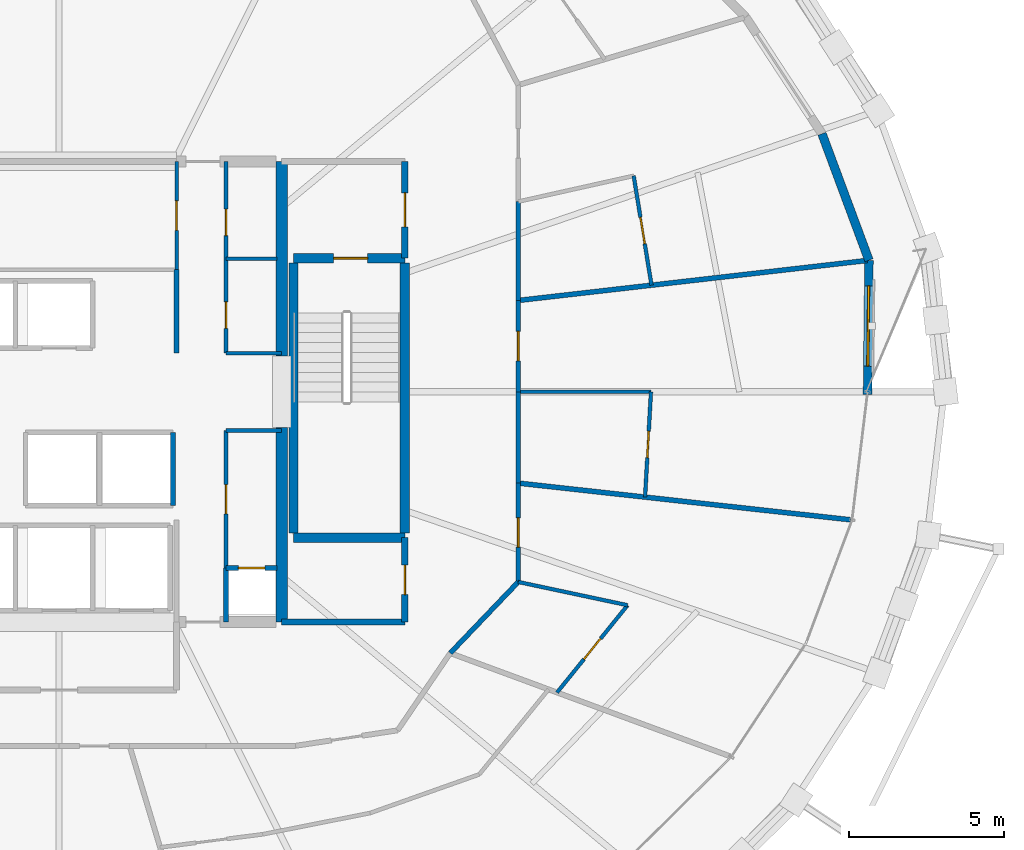
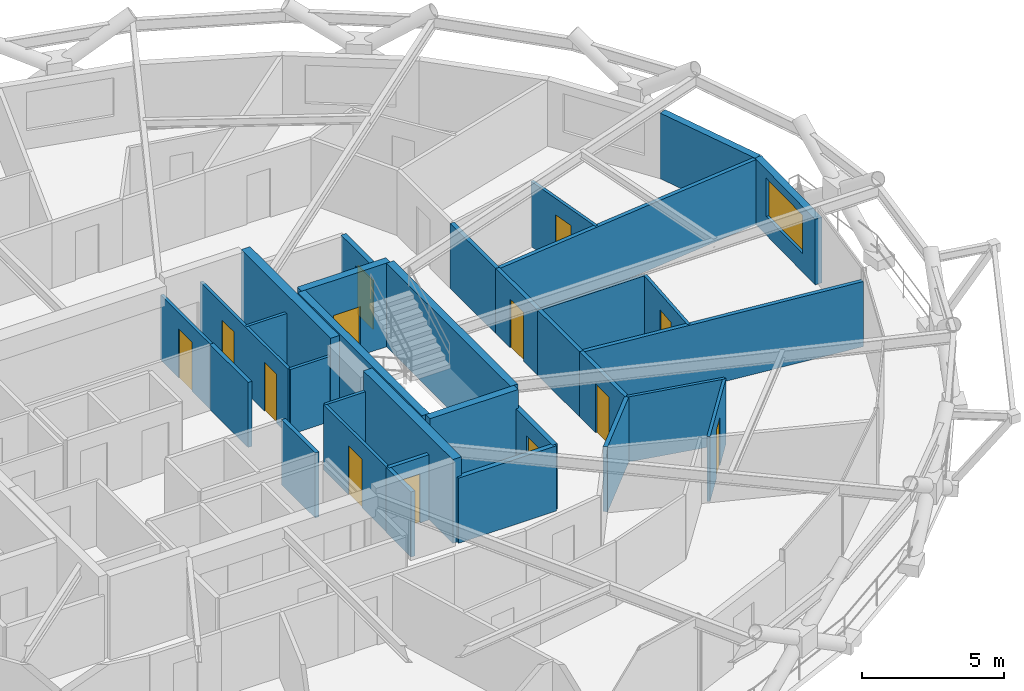
# One storey, part 16 of 21: 33 walls, 13 doors, 1 window, 14 openings.
"""IFC4 building model written with IfcOpenShell, lengths in metres."""

from ifc_helpers import new_model, si_unit, direction, frame, frame_2d, origin, place, context, subcontext, project, spatial, rectangle, extrude, material, layer, layer_set, type_object, element, fill, save


model = new_model("IFC4")

# Units and contexts
model_context = context("Model", 3, precision=1e-05, world=origin(), true_north=direction((0.0, 1.0)))
body_context = subcontext(model_context, "Body", "Model", "MODEL_VIEW")
ifc_project = project(units=[si_unit("LENGTHUNIT", "METRE"), si_unit("AREAUNIT", "SQUARE_METRE"), si_unit("VOLUMEUNIT", "CUBIC_METRE"), si_unit("PLANEANGLEUNIT", "RADIAN"), si_unit("MASSUNIT", "GRAM", prefix="KILO")], contexts=[model_context])

# Site, building, storey
site_placement = place(None, origin())
site = spatial("IfcSite", under=ifc_project, at=site_placement, CompositionType="ELEMENT")
building_placement = place(site_placement, origin())
building = spatial("IfcBuilding", under=site, at=building_placement, Name="Veldorina Hangang Commons", CompositionType="ELEMENT")
storey_placement = place(building_placement, frame((0.0, 0.0, 120.800048828125)))
storey = spatial("IfcBuildingStorey", under=building, at=storey_placement, Name="L30", CompositionType="ELEMENT", Elevation=120.800048828125)

# Walls
ifc_material_1 = material(Name="Concrete C60/75", Category="concrete")
ifc_layer_1 = layer(ifc_material_1, 0.360107421875)
ifc_layer_set_1 = layer_set([ifc_layer_1], Name="Concrete C60/75")
wall_type_1 = type_object("IfcWallType", Name="CW-RC360-C60", PredefinedType="SHEAR", material=ifc_layer_set_1)
for number, where, z_axis, x_axis, name in (
    (1, (39.199951171875, 16.550048828125, 0.0), (0.0, 0.0, 1.0), (0.0, 1.0, 0.0), "L30 E south core shear wall"),
    (2, (39.199951171875, 25.14990234375, 0.0), (0.0, 0.0, 1.0), (0.0, 1.0, 0.0), "L30 E north core shear wall"),
):
    element("IfcWall", number, at=place(storey_placement, frame(where, z_axis=z_axis, x_axis=x_axis)), inside=storey, type_object=wall_type_1, Name=name, PredefinedType="SHEAR", context=body_context, shape_type="SweptSolid", body=[
        extrude(rectangle(XDim=6.300048828125, YDim=0.360107421875, at=frame_2d((3.14990234375, 0.0))), origin(), (0.0, 0.0, 1.0), 3.599853515625),
    ])

# Wall, opening, window
ifc_material_2 = material(Name="Stone Roman Travertine", Category="masonry")
ifc_layer_2 = layer(ifc_material_2, 0.280029296875)
ifc_layer_set_2 = layer_set([ifc_layer_2], Name="Stone Roman Travertine")
wall_type_2 = type_object("IfcWallType", Name="EW-TRAV-280", PredefinedType="STANDARD", material=ifc_layer_set_2)
wall_1_placement = place(storey_placement, frame((58.14599609375, 23.907958984375, 0.0), z_axis=(0.0, 0.0, 1.0), x_axis=(0.011008713298, 0.99993940228, 0.0)))
wall_1 = element("IfcWall", 3, at=wall_1_placement, inside=storey, type_object=wall_type_2, Name="L30 travertine facade wall 00", PredefinedType="STANDARD", context=body_context, shape_type="SweptSolid", body=[
    extrude(rectangle(XDim=4.3466796875, YDim=0.280029296875, at=frame_2d((2.17333984375, 0.0))), origin(), (0.0, 0.0, 1.0), 2.820068359375),
])
opening_1_placement = place(wall_1_placement, frame((0.919189453125, 0.0, 0.800048828125)))
opening_1 = element("IfcOpeningElement", 4, at=opening_1_placement, cuts=wall_1, Name="Opening W-02", PredefinedType="OPENING", context=body_context, shape_type="SweptSolid", body=[
    extrude(rectangle(XDim=2.60009765625, YDim=1.64990234375, at=frame_2d((1.300048828125, 0.824951171875))), frame((0.0, 0.14990234375, 0.0), z_axis=(0.0, -1.0, 0.0), x_axis=(1.0, 0.0, 0.0)), (0.0, 0.0, 1.0), 0.300048828125),
])
ifc_material_3 = material(Name="Glass Low-E Triple IGU", Category="glass")
window_type = type_object("IfcWindowType", Name="WIN-TWR-2600", PartitioningType="SINGLE_PANEL", PredefinedType="WINDOW", material=ifc_material_3)
window_placement = place(opening_1_placement, origin())
window = element("IfcWindow", 5, at=window_placement, inside=storey, type_object=window_type, Name="L30 facade window 00", OverallHeight=1.64990234375, OverallWidth=2.60009765625, PartitioningType="SINGLE_PANEL", PredefinedType="WINDOW", context=body_context, shape_type="SweptSolid", body=[
    extrude(rectangle(XDim=2.60009765625, YDim=1.64990234375, at=frame_2d((1.300048828125, 0.824951171875))), frame((0.0, 0.030029296875, 0.0), z_axis=(0.0, -1.0, 0.0), x_axis=(1.0, 0.0, 0.0)), (0.0, 0.0, 1.0), 0.06005859375),
])
fill(opening_1, window)

# Walls
wall_2_placement = place(storey_placement, frame((58.19384765625, 28.25439453125, 0.0), z_axis=(0.0, 0.0, 1.0), x_axis=(-0.348252546088, 0.937400748956, 0.0)))
element("IfcWall", 6, at=wall_2_placement, inside=storey, type_object=wall_type_2, Name="L30 travertine facade wall 01", PredefinedType="STANDARD", context=body_context, shape_type="SweptSolid", body=[
    extrude(rectangle(XDim=4.364013671875, YDim=0.280029296875, at=frame_2d((2.18212890625, 0.0))), origin(), (0.0, 0.0, 1.0), 2.820068359375),
])
ifc_material_4 = material(Name="Concrete C50/60", Category="concrete")
ifc_layer_3 = layer(ifc_material_4, 0.300048828125)
ifc_layer_set_3 = layer_set([ifc_layer_3], Name="Concrete C50/60")
wall_type_3 = type_object("IfcWallType", Name="SW-STAIR-300", PredefinedType="SHEAR", material=ifc_layer_set_3)
for number, where, z_axis, x_axis, name in (
    (7, (43.179931640625, 19.429931640625, 0.0), (0.0, 0.0, 1.0), (0.0, 1.0, 0.0), "L30 ST2 outer stair shear wall"),
    (8, (39.580078125, 19.429931640625, 0.0), (0.0, 0.0, 1.0), (0.0, 1.0, 0.0), "L30 ST2 inner stair shear wall"),
):
    element("IfcWall", number, at=place(storey_placement, frame(where, z_axis=z_axis, x_axis=x_axis)), inside=storey, type_object=wall_type_3, Name=name, PredefinedType="SHEAR", context=body_context, shape_type="SweptSolid", body=[
        extrude(rectangle(XDim=8.739990234375, YDim=0.300048828125, at=frame_2d((4.3701171875, 0.0))), origin(), (0.0, 0.0, 1.0), 3.599853515625),
    ])
wall_3_placement = place(storey_placement, frame((39.580078125, 19.280029296875, 0.0), z_axis=(0.0, 0.0, 1.0), x_axis=(1.0, 0.0, 0.0)))
element("IfcWall", 9, at=wall_3_placement, inside=storey, type_object=wall_type_3, Name="L30 ST2 south stair shear wall", PredefinedType="SHEAR", context=body_context, shape_type="SweptSolid", body=[
    extrude(rectangle(XDim=3.599853515625, YDim=0.300048828125, at=frame_2d((1.7998046875, 0.0))), origin(), (0.0, 0.0, 1.0), 3.599853515625),
])

# Wall, opening, door
wall_4_placement = place(storey_placement, frame((39.580078125, 28.320068359375, 0.0), z_axis=(0.0, 0.0, 1.0), x_axis=(1.0, 0.0, 0.0)))
wall_4 = element("IfcWall", 10, at=wall_4_placement, inside=storey, type_object=wall_type_3, Name="L30 ST2 north stair shear wall", PredefinedType="SHEAR", context=body_context, shape_type="SweptSolid", body=[
    extrude(rectangle(XDim=3.599853515625, YDim=0.300048828125, at=frame_2d((1.7998046875, 0.0))), origin(), (0.0, 0.0, 1.0), 3.599853515625),
])
opening_2_placement = place(wall_4_placement, frame((1.300048828125, 0.0, 0.0)))
opening_2 = element("IfcOpeningElement", 11, at=opening_2_placement, cuts=wall_4, Name="Opening D-08", PredefinedType="OPENING", context=body_context, shape_type="SweptSolid", body=[
    extrude(rectangle(XDim=1.10009765625, YDim=2.10009765625, at=frame_2d((0.550048828125, 1.050048828125))), frame((0.0, 0.16015625, 0.0), z_axis=(0.0, -1.0, 0.0), x_axis=(1.0, 0.0, 0.0)), (0.0, 0.0, 1.0), 0.320068359375),
])
ifc_material_5 = material(Name="Steel Fire-Rated Smoke Seal", Category="steel")
door_type_1 = type_object("IfcDoorType", Name="DR-FIRE-1100", OperationType="SINGLE_SWING_RIGHT", PredefinedType="DOOR", material=ifc_material_5)
door_1_placement = place(opening_2_placement, origin())
door_1 = element("IfcDoor", 12, at=door_1_placement, inside=storey, type_object=door_type_1, Name="L30 Special Escape Stair ST-2 door", OperationType="SINGLE_SWING_RIGHT", OverallHeight=2.10009765625, OverallWidth=1.10009765625, PredefinedType="DOOR", context=body_context, shape_type="SweptSolid", body=[
    extrude(rectangle(XDim=1.10009765625, YDim=2.10009765625, at=frame_2d((0.550048828125, 1.050048828125))), frame((0.0, 0.02490234375, 0.0), z_axis=(0.0, -1.0, 0.0), x_axis=(1.0, 0.0, 0.0)), (0.0, 0.0, 1.0), 0.050048828125),
])
fill(opening_2, door_1)

# Walls
ifc_material_6 = material(Name="Gypsum Fire-Rated Twin Stud Wall", Category="gypsum")
ifc_layer_4 = layer(ifc_material_6, 0.159912109375)
ifc_layer_set_4 = layer_set([ifc_layer_4], Name="Gypsum Fire-Rated Twin Stud Wall")
wall_type_4 = type_object("IfcWallType", Name="WL-FIRE-160", PredefinedType="SOLIDWALL", material=ifc_layer_set_4)
wall_5_placement = place(storey_placement, frame((37.39990234375, 16.550048828125, 0.0), z_axis=(0.0, 0.0, 1.0), x_axis=(0.0, 1.0, 0.0)))
element("IfcWall", 13, at=wall_5_placement, inside=storey, type_object=wall_type_4, Name="L30 Lift passage SE stub 010", PredefinedType="SOLIDWALL", context=body_context, shape_type="SweptSolid", body=[
    extrude(rectangle(XDim=1.75, YDim=0.159912109375, at=frame_2d((0.875, 0.0))), origin(), (0.0, 0.0, 1.0), 2.800048828125),
])
wall_6_placement = place(storey_placement, frame((35.800048828125, 25.25, 0.0), z_axis=(0.0, 0.0, 1.0), x_axis=(0.0, 1.0, 0.0)))
element("IfcWall", 14, at=wall_6_placement, inside=storey, type_object=wall_type_4, Name="L30 Lift passage NW lower wall 011", PredefinedType="SOLIDWALL", context=body_context, shape_type="SweptSolid", body=[
    extrude(rectangle(XDim=2.699951171875, YDim=0.159912109375, at=frame_2d((1.35009765625, 0.0))), origin(), (0.0, 0.0, 1.0), 2.800048828125),
])
wall_7_placement = place(storey_placement, frame((35.679931640625, 20.320068359375, 0.0), z_axis=(0.0, 0.0, 1.0), x_axis=(0.0, 1.0, 0.0)))
element("IfcWall", 15, at=wall_7_placement, inside=storey, type_object=wall_type_4, Name="L30 SL-2 east shaft wall 024", PredefinedType="SOLIDWALL", context=body_context, shape_type="SweptSolid", body=[
    extrude(rectangle(XDim=2.35986328125, YDim=0.159912109375, at=frame_2d((1.179931640625, 0.0))), origin(), (0.0, 0.0, 1.0), 2.800048828125),
])

# Wall, opening, door
wall_8_placement = place(storey_placement, frame((37.39990234375, 18.300048828125, 0.0), z_axis=(0.0, 0.0, 1.0), x_axis=(1.0, 0.0, 0.0)))
wall_8 = element("IfcWall", 16, at=wall_8_placement, inside=storey, type_object=wall_type_4, Name="L30 Plumbing riser wall 036", PredefinedType="SOLIDWALL", context=body_context, shape_type="SweptSolid", body=[
    extrude(rectangle(XDim=1.650146484375, YDim=0.159912109375, at=frame_2d((0.8251953125, 0.0))), origin(), (0.0, 0.0, 1.0), 2.800048828125),
])
opening_3_placement = place(wall_8_placement, frame((0.39501953125, 0.0, 0.0)))
opening_3 = element("IfcOpeningElement", 17, at=opening_3_placement, cuts=wall_8, Name="Opening D-01N", PredefinedType="OPENING", context=body_context, shape_type="SweptSolid", body=[
    extrude(rectangle(XDim=0.860107421875, YDim=2.10009765625, at=frame_2d((0.43017578125, 1.050048828125))), frame((0.0, 0.08984375, 0.0), z_axis=(0.0, -1.0, 0.0), x_axis=(1.0, 0.0, 0.0)), (0.0, 0.0, 1.0), 0.179931640625),
])
ifc_material_7 = material(Name="Timber Fire-Rated Core", Category="wood")
door_type_2 = type_object("IfcDoorType", Name="DR-INT-860", OperationType="SINGLE_SWING_LEFT", PredefinedType="DOOR", material=ifc_material_7)
door_2_placement = place(opening_3_placement, origin())
door_2 = element("IfcDoor", 18, at=door_2_placement, inside=storey, type_object=door_type_2, Name="L30 Plumbing riser access door 013", OperationType="SINGLE_SWING_LEFT", OverallHeight=2.10009765625, OverallWidth=0.860107421875, PredefinedType="TRAPDOOR", context=body_context, shape_type="SweptSolid", body=[
    extrude(rectangle(XDim=0.860107421875, YDim=2.10009765625, at=frame_2d((0.43017578125, 1.050048828125))), frame((0.0, 0.02490234375, 0.0), z_axis=(0.0, -1.0, 0.0), x_axis=(1.0, 0.0, 0.0)), (0.0, 0.0, 1.0), 0.050048828125),
])
fill(opening_3, door_2)

wall_9_placement = place(storey_placement, frame((46.85009765625, 24.0, 0.0), z_axis=(0.0, 0.0, 1.0), x_axis=(0.0, 1.0, 0.0)))
wall_9 = element("IfcWall", 19, at=wall_9_placement, inside=storey, type_object=wall_type_4, Name="L30 U-corridor outer wall 00 046", PredefinedType="SOLIDWALL", context=body_context, shape_type="SweptSolid", body=[
    extrude(rectangle(XDim=2.953857421875, YDim=0.159912109375, at=frame_2d((1.47705078125, 0.0))), origin(), (0.0, 0.0, 1.0), 2.800048828125),
])
opening_4_placement = place(wall_9_placement, frame((1.001953125, 0.0, 0.0)))
opening_4 = element("IfcOpeningElement", 20, at=opening_4_placement, cuts=wall_9, Name="Opening D-03", PredefinedType="OPENING", context=body_context, shape_type="SweptSolid", body=[
    extrude(rectangle(XDim=0.949951171875, YDim=2.10009765625, at=frame_2d((0.47509765625, 1.050048828125))), frame((0.0, 0.08984375, 0.0), z_axis=(0.0, -1.0, 0.0), x_axis=(1.0, 0.0, 0.0)), (0.0, 0.0, 1.0), 0.179931640625),
])
ifc_material_8 = material(Name="Timber Fire-Rated Entrance Core", Category="wood")
door_type_3 = type_object("IfcDoorType", Name="DR-UNIT-950", OperationType="SINGLE_SWING_RIGHT", PredefinedType="DOOR", material=ifc_material_8)
door_3_placement = place(opening_4_placement, origin())
door_3 = element("IfcDoor", 21, at=door_3_placement, inside=storey, type_object=door_type_3, Name="L30 Studio 3 entrance door 025", OperationType="SINGLE_SWING_LEFT", OverallHeight=2.10009765625, OverallWidth=0.949951171875, PredefinedType="DOOR", context=body_context, shape_type="SweptSolid", body=[
    extrude(rectangle(XDim=0.949951171875, YDim=2.10009765625, at=frame_2d((0.47509765625, 1.050048828125))), frame((0.0, 0.02490234375, 0.0), z_axis=(0.0, -1.0, 0.0), x_axis=(1.0, 0.0, 0.0)), (0.0, 0.0, 1.0), 0.050048828125),
])
fill(opening_4, door_3)

# Walls
wall_10_placement = place(storey_placement, frame((46.85009765625, 26.953857421875, 0.0), z_axis=(0.0, 0.0, 1.0), x_axis=(0.0, 1.0, 0.0)))
element("IfcWall", 22, at=wall_10_placement, inside=storey, type_object=wall_type_4, Name="L30 U-corridor outer wall 01 047", PredefinedType="SOLIDWALL", context=body_context, shape_type="SweptSolid", body=[
    extrude(rectangle(XDim=3.197265625, YDim=0.159912109375, at=frame_2d((1.5986328125, 0.0))), origin(), (0.0, 0.0, 1.0), 2.800048828125),
])
wall_11_placement = place(storey_placement, frame((44.64990234375, 15.547607421875, 0.0), z_axis=(0.0, 0.0, 1.0), x_axis=(0.691055487108, 0.722801711216, 0.0)))
element("IfcWall", 23, at=wall_11_placement, inside=storey, type_object=wall_type_4, Name="L30 U-corridor outer wall 29 075", PredefinedType="SOLIDWALL", context=body_context, shape_type="SweptSolid", body=[
    extrude(rectangle(XDim=3.183837890625, YDim=0.159912109375, at=frame_2d((1.591796875, 0.0))), origin(), (0.0, 0.0, 1.0), 2.800048828125),
])

# Wall, opening, door
wall_12_placement = place(storey_placement, frame((46.85009765625, 17.848876953125, 0.0), z_axis=(0.0, 0.0, 1.0), x_axis=(0.0, 1.0, 0.0)))
wall_12 = element("IfcWall", 24, at=wall_12_placement, inside=storey, type_object=wall_type_4, Name="L30 U-corridor outer wall 30 076", PredefinedType="SOLIDWALL", context=body_context, shape_type="SweptSolid", body=[
    extrude(rectangle(XDim=3.197265625, YDim=0.159912109375, at=frame_2d((1.5986328125, 0.0))), origin(), (0.0, 0.0, 1.0), 2.800048828125),
])
opening_5_placement = place(wall_12_placement, frame((1.123779296875, 0.0, 0.0)))
opening_5 = element("IfcOpeningElement", 25, at=opening_5_placement, cuts=wall_12, Name="Opening D-03", PredefinedType="OPENING", context=body_context, shape_type="SweptSolid", body=[
    extrude(rectangle(XDim=0.949951171875, YDim=2.10009765625, at=frame_2d((0.47509765625, 1.050048828125))), frame((0.0, 0.08984375, 0.0), z_axis=(0.0, -1.0, 0.0), x_axis=(1.0, 0.0, 0.0)), (0.0, 0.0, 1.0), 0.179931640625),
])
door_4_placement = place(opening_5_placement, origin())
door_4 = element("IfcDoor", 26, at=door_4_placement, inside=storey, type_object=door_type_3, Name="L30 Studio 2 entrance door 023", OperationType="SINGLE_SWING_LEFT", OverallHeight=2.10009765625, OverallWidth=0.949951171875, PredefinedType="DOOR", context=body_context, shape_type="SweptSolid", body=[
    extrude(rectangle(XDim=0.949951171875, YDim=2.10009765625, at=frame_2d((0.47509765625, 1.050048828125))), frame((0.0, 0.02490234375, 0.0), z_axis=(0.0, -1.0, 0.0), x_axis=(1.0, 0.0, 0.0)), (0.0, 0.0, 1.0), 0.050048828125),
])
fill(opening_5, door_4)

# Walls
wall_13_placement = place(storey_placement, frame((46.85009765625, 21.046142578125, 0.0), z_axis=(0.0, 0.0, 1.0), x_axis=(0.0, 1.0, 0.0)))
element("IfcWall", 27, at=wall_13_placement, inside=storey, type_object=wall_type_4, Name="L30 U-corridor outer wall 31 077", PredefinedType="SOLIDWALL", context=body_context, shape_type="SweptSolid", body=[
    extrude(rectangle(XDim=2.953857421875, YDim=0.159912109375, at=frame_2d((1.47705078125, 0.0))), origin(), (0.0, 0.0, 1.0), 2.800048828125),
])
wall_14_placement = place(storey_placement, frame((46.85009765625, 21.046142578125, 0.0), z_axis=(0.0, 0.0, 1.0), x_axis=(0.993965535476, -0.109692817837, 0.0)))
element("IfcWall", 28, at=wall_14_placement, inside=storey, type_object=wall_type_4, Name="L30 Unit party wall 31 086", PredefinedType="SOLIDWALL", context=body_context, shape_type="SweptSolid", body=[
    extrude(rectangle(XDim=10.81005859375, YDim=0.159912109375, at=frame_2d((5.405029296875, 0.0))), origin(), (0.0, 0.0, 1.0), 2.800048828125),
])
wall_15_placement = place(storey_placement, frame((46.85009765625, 26.953857421875, 0.0), z_axis=(0.0, 0.0, 1.0), x_axis=(0.993493502976, 0.113888803422, 0.0)))
element("IfcWall", 29, at=wall_15_placement, inside=storey, type_object=wall_type_4, Name="L30 Unit party wall 01 089", PredefinedType="SOLIDWALL", context=body_context, shape_type="SweptSolid", body=[
    extrude(rectangle(XDim=11.367919921875, YDim=0.159912109375, at=frame_2d((5.68408203125, 0.0))), origin(), (0.0, 0.0, 1.0), 2.800048828125),
])

# Wall, opening, door
ifc_material_9 = material(Name="Concrete Blockwork Fire Wall C30/37", Category="masonry")
ifc_layer_5 = layer(ifc_material_9, 0.199951171875)
ifc_layer_set_5 = layer_set([ifc_layer_5], Name="Concrete Blockwork Fire Wall C30/37")
wall_type_5 = type_object("IfcWallType", Name="WL-FIRE-200", PredefinedType="SOLIDWALL", material=ifc_layer_set_5)
wall_16_placement = place(storey_placement, frame((43.179931640625, 28.320068359375, 0.0), z_axis=(0.0, 0.0, 1.0), x_axis=(0.0, 1.0, 0.0)))
wall_16 = element("IfcWall", 30, at=wall_16_placement, inside=storey, type_object=wall_type_5, Name="L30 East vestibule outer wall 003", PredefinedType="SOLIDWALL", context=body_context, shape_type="SweptSolid", body=[
    extrude(rectangle(XDim=3.1298828125, YDim=0.199951171875, at=frame_2d((1.56494140625, 0.0))), origin(), (0.0, 0.0, 1.0), 2.800048828125),
])
opening_6_placement = place(wall_16_placement, frame((1.014892578125, 0.0, 0.0)))
opening_6 = element("IfcOpeningElement", 31, at=opening_6_placement, cuts=wall_16, Name="Opening D-08", PredefinedType="OPENING", context=body_context, shape_type="SweptSolid", body=[
    extrude(rectangle(XDim=1.10009765625, YDim=2.10009765625, at=frame_2d((0.550048828125, 1.050048828125))), frame((0.0, 0.10986328125, 0.0), z_axis=(0.0, -1.0, 0.0), x_axis=(1.0, 0.0, 0.0)), (0.0, 0.0, 1.0), 0.219970703125),
])
door_5_placement = place(opening_6_placement, origin())
door_5 = element("IfcDoor", 32, at=door_5_placement, inside=storey, type_object=door_type_1, Name="L30 East vestibule east door 002", OperationType="SINGLE_SWING_RIGHT", OverallHeight=2.10009765625, OverallWidth=1.10009765625, PredefinedType="DOOR", context=body_context, shape_type="SweptSolid", body=[
    extrude(rectangle(XDim=1.10009765625, YDim=2.10009765625, at=frame_2d((0.550048828125, 1.050048828125))), frame((0.0, 0.02490234375, 0.0), z_axis=(0.0, -1.0, 0.0), x_axis=(1.0, 0.0, 0.0)), (0.0, 0.0, 1.0), 0.050048828125),
])
fill(opening_6, door_5)

wall_17_placement = place(storey_placement, frame((43.179931640625, 16.550048828125, 0.0), z_axis=(0.0, 0.0, 1.0), x_axis=(0.0, 1.0, 0.0)))
wall_17 = element("IfcWall", 33, at=wall_17_placement, inside=storey, type_object=wall_type_5, Name="L30 SE core room outer wall 007", PredefinedType="SOLIDWALL", context=body_context, shape_type="SweptSolid", body=[
    extrude(rectangle(XDim=2.72998046875, YDim=0.199951171875, at=frame_2d((1.364990234375, 0.0))), origin(), (0.0, 0.0, 1.0), 2.800048828125),
])
opening_7_placement = place(wall_17_placement, frame((0.889892578125, 0.0, 0.0)))
opening_7 = element("IfcOpeningElement", 34, at=opening_7_placement, cuts=wall_17, Name="Opening D-02", PredefinedType="OPENING", context=body_context, shape_type="SweptSolid", body=[
    extrude(rectangle(XDim=0.949951171875, YDim=2.10009765625, at=frame_2d((0.47509765625, 1.050048828125))), frame((0.0, 0.10986328125, 0.0), z_axis=(0.0, -1.0, 0.0), x_axis=(1.0, 0.0, 0.0)), (0.0, 0.0, 1.0), 0.219970703125),
])
ifc_material_10 = material(Name="Timber Solid Core Acoustic", Category="wood")
door_type_4 = type_object("IfcDoorType", Name="DR-INT-950", OperationType="SINGLE_SWING_LEFT", PredefinedType="DOOR", material=ifc_material_10)
door_6_placement = place(opening_7_placement, origin())
door_6 = element("IfcDoor", 35, at=door_6_placement, inside=storey, type_object=door_type_4, Name="L30 SE core WC door 004", OperationType="SINGLE_SWING_RIGHT", OverallHeight=2.10009765625, OverallWidth=0.949951171875, PredefinedType="DOOR", context=body_context, shape_type="SweptSolid", body=[
    extrude(rectangle(XDim=0.949951171875, YDim=2.10009765625, at=frame_2d((0.47509765625, 1.050048828125))), frame((0.0, 0.02490234375, 0.0), z_axis=(0.0, -1.0, 0.0), x_axis=(1.0, 0.0, 0.0)), (0.0, 0.0, 1.0), 0.050048828125),
])
fill(opening_7, door_6)

# Wall
wall_18_placement = place(storey_placement, frame((39.199951171875, 16.550048828125, 0.0), z_axis=(0.0, 0.0, 1.0), x_axis=(1.0, 0.0, 0.0)))
element("IfcWall", 36, at=wall_18_placement, inside=storey, type_object=wall_type_5, Name="L30 SE core room south wall 008", PredefinedType="SOLIDWALL", context=body_context, shape_type="SweptSolid", body=[
    extrude(rectangle(XDim=3.97998046875, YDim=0.199951171875, at=frame_2d((1.989990234375, 0.0))), origin(), (0.0, 0.0, 1.0), 2.800048828125),
])

# Wall, opening, door
ifc_material_11 = material(Name="Gypsum Acoustic Stud Partition", Category="gypsum")
ifc_layer_6 = layer(ifc_material_11, 0.1201171875)
ifc_layer_set_6 = layer_set([ifc_layer_6], Name="Gypsum Acoustic Stud Partition")
wall_type_6 = type_object("IfcWallType", Name="WL-PART-120", PredefinedType="PARTITIONING", material=ifc_layer_set_6)
wall_19_placement = place(storey_placement, frame((35.800048828125, 27.949951171875, 0.0), z_axis=(0.0, 0.0, 1.0), x_axis=(0.0, 1.0, 0.0)))
wall_19 = element("IfcWall", 37, at=wall_19_placement, inside=storey, type_object=wall_type_6, Name="L30 Merged north east wall 033", PredefinedType="PARTITIONING", context=body_context, shape_type="SweptSolid", body=[
    extrude(rectangle(XDim=3.5, YDim=0.1201171875, at=frame_2d((1.75, 0.0))), origin(), (0.0, 0.0, 1.0), 2.800048828125),
])
opening_8_placement = place(wall_19_placement, frame((1.27490234375, 0.0, 0.0)))
opening_8 = element("IfcOpeningElement", 38, at=opening_8_placement, cuts=wall_19, Name="Opening D-02", PredefinedType="OPENING", context=body_context, shape_type="SweptSolid", body=[
    extrude(rectangle(XDim=0.949951171875, YDim=2.10009765625, at=frame_2d((0.47509765625, 1.050048828125))), frame((0.0, 0.070068359375, 0.0), z_axis=(0.0, -1.0, 0.0), x_axis=(1.0, 0.0, 0.0)), (0.0, 0.0, 1.0), 0.14013671875),
])
door_7_placement = place(opening_8_placement, origin())
door_7 = element("IfcDoor", 39, at=door_7_placement, inside=storey, type_object=door_type_4, Name="L30 Merged north room lobby door 011", OperationType="SINGLE_SWING_LEFT", OverallHeight=2.10009765625, OverallWidth=0.949951171875, PredefinedType="DOOR", context=body_context, shape_type="SweptSolid", body=[
    extrude(rectangle(XDim=0.949951171875, YDim=2.10009765625, at=frame_2d((0.47509765625, 1.050048828125))), frame((0.0, 0.02490234375, 0.0), z_axis=(0.0, -1.0, 0.0), x_axis=(1.0, 0.0, 0.0)), (0.0, 0.0, 1.0), 0.050048828125),
])
fill(opening_8, door_7)

# Wall, openings, doors
wall_20_placement = place(storey_placement, frame((37.39990234375, 25.25, 0.0), z_axis=(0.0, 0.0, 1.0), x_axis=(0.0, 1.0, 0.0)))
wall_20 = element("IfcWall", 40, at=wall_20_placement, inside=storey, type_object=wall_type_6, Name="L30 NE strip lobby wall 040", PredefinedType="PARTITIONING", context=body_context, shape_type="SweptSolid", body=[
    extrude(rectangle(XDim=6.199951171875, YDim=0.1201171875, at=frame_2d((3.10009765625, 0.0))), origin(), (0.0, 0.0, 1.0), 2.800048828125),
])
opening_9_placement = place(wall_20_placement, frame((0.800048828125, 0.0, 0.0)))
opening_9 = element("IfcOpeningElement", 41, at=opening_9_placement, cuts=wall_20, Name="Opening D-01", PredefinedType="OPENING", context=body_context, shape_type="SweptSolid", body=[
    extrude(rectangle(XDim=0.860107421875, YDim=2.10009765625, at=frame_2d((0.43017578125, 1.050048828125))), frame((0.0, 0.070068359375, 0.0), z_axis=(0.0, -1.0, 0.0), x_axis=(1.0, 0.0, 0.0)), (0.0, 0.0, 1.0), 0.14013671875),
])
opening_10_placement = place(wall_20_placement, frame((3.800048828125, 0.0, 0.0)))
opening_10 = element("IfcOpeningElement", 42, at=opening_10_placement, cuts=wall_20, Name="Opening D-01", PredefinedType="OPENING", context=body_context, shape_type="SweptSolid", body=[
    extrude(rectangle(XDim=0.860107421875, YDim=2.10009765625, at=frame_2d((0.43017578125, 1.050048828125))), frame((0.0, 0.070068359375, 0.0), z_axis=(0.0, -1.0, 0.0), x_axis=(1.0, 0.0, 0.0)), (0.0, 0.0, 1.0), 0.14013671875),
])
ifc_material_12 = material(Name="Timber Moisture-Resistant Core", Category="wood")
door_type_5 = type_object("IfcDoorType", Name="DR-WET-860", OperationType="SINGLE_SWING_LEFT", PredefinedType="DOOR", material=ifc_material_12)
door_8_placement = place(opening_9_placement, origin())
door_8 = element("IfcDoor", 43, at=door_8_placement, inside=storey, type_object=door_type_5, Name="L30 Electrical closet door 017", OperationType="SINGLE_SWING_LEFT", OverallHeight=2.10009765625, OverallWidth=0.860107421875, PredefinedType="DOOR", context=body_context, shape_type="SweptSolid", body=[
    extrude(rectangle(XDim=0.860107421875, YDim=2.10009765625, at=frame_2d((0.43017578125, 1.050048828125))), frame((0.0, 0.02490234375, 0.0), z_axis=(0.0, -1.0, 0.0), x_axis=(1.0, 0.0, 0.0)), (0.0, 0.0, 1.0), 0.050048828125),
])
fill(opening_9, door_8)
door_9_placement = place(opening_10_placement, origin())
door_9 = element("IfcDoor", 44, at=door_9_placement, inside=storey, type_object=door_type_5, Name="L30 IT closet door 018", OperationType="SINGLE_SWING_RIGHT", OverallHeight=2.10009765625, OverallWidth=0.860107421875, PredefinedType="DOOR", context=body_context, shape_type="SweptSolid", body=[
    extrude(rectangle(XDim=0.860107421875, YDim=2.10009765625, at=frame_2d((0.43017578125, 1.050048828125))), frame((0.0, 0.02490234375, 0.0), z_axis=(0.0, -1.0, 0.0), x_axis=(1.0, 0.0, 0.0)), (0.0, 0.0, 1.0), 0.050048828125),
])
fill(opening_10, door_9)

# Wall
wall_21_placement = place(storey_placement, frame((37.39990234375, 25.25, 0.0), z_axis=(0.0, 0.0, 1.0), x_axis=(1.0, 0.0, 0.0)))
element("IfcWall", 45, at=wall_21_placement, inside=storey, type_object=wall_type_6, Name="L30 NE strip south return wall 041", PredefinedType="PARTITIONING", context=body_context, shape_type="SweptSolid", body=[
    extrude(rectangle(XDim=1.800048828125, YDim=0.1201171875, at=frame_2d((0.89990234375, 0.0))), origin(), (0.0, 0.0, 1.0), 2.800048828125),
])

# Wall, opening, door
wall_22_placement = place(storey_placement, frame((37.39990234375, 18.300048828125, 0.0), z_axis=(0.0, 0.0, 1.0), x_axis=(0.0, 1.0, 0.0)))
wall_22 = element("IfcWall", 46, at=wall_22_placement, inside=storey, type_object=wall_type_6, Name="L30 SE strip lobby wall 042", PredefinedType="PARTITIONING", context=body_context, shape_type="SweptSolid", body=[
    extrude(rectangle(XDim=4.449951171875, YDim=0.1201171875, at=frame_2d((2.22509765625, 0.0))), origin(), (0.0, 0.0, 1.0), 2.800048828125),
])
opening_11_placement = place(wall_22_placement, frame((1.75, 0.0, 0.0)))
opening_11 = element("IfcOpeningElement", 47, at=opening_11_placement, cuts=wall_22, Name="Opening D-02", PredefinedType="OPENING", context=body_context, shape_type="SweptSolid", body=[
    extrude(rectangle(XDim=0.949951171875, YDim=2.10009765625, at=frame_2d((0.47509765625, 1.050048828125))), frame((0.0, 0.070068359375, 0.0), z_axis=(0.0, -1.0, 0.0), x_axis=(1.0, 0.0, 0.0)), (0.0, 0.0, 1.0), 0.14013671875),
])
door_10_placement = place(opening_11_placement, origin())
door_10 = element("IfcDoor", 48, at=door_10_placement, inside=storey, type_object=door_type_4, Name="L30 Cleaners supply door 019", OperationType="SINGLE_SWING_LEFT", OverallHeight=2.10009765625, OverallWidth=0.949951171875, PredefinedType="DOOR", context=body_context, shape_type="SweptSolid", body=[
    extrude(rectangle(XDim=0.949951171875, YDim=2.10009765625, at=frame_2d((0.47509765625, 1.050048828125))), frame((0.0, 0.02490234375, 0.0), z_axis=(0.0, -1.0, 0.0), x_axis=(1.0, 0.0, 0.0)), (0.0, 0.0, 1.0), 0.050048828125),
])
fill(opening_11, door_10)

# Walls
wall_23_placement = place(storey_placement, frame((37.39990234375, 22.75, 0.0), z_axis=(0.0, 0.0, 1.0), x_axis=(1.0, 0.0, 0.0)))
element("IfcWall", 49, at=wall_23_placement, inside=storey, type_object=wall_type_6, Name="L30 SE strip north return wall 043", PredefinedType="PARTITIONING", context=body_context, shape_type="SweptSolid", body=[
    extrude(rectangle(XDim=1.800048828125, YDim=0.1201171875, at=frame_2d((0.89990234375, 0.0))), origin(), (0.0, 0.0, 1.0), 2.800048828125),
])
wall_24_placement = place(storey_placement, frame((37.39990234375, 28.300048828125, 0.0), z_axis=(0.0, 0.0, 1.0), x_axis=(1.0, 0.0, 0.0)))
element("IfcWall", 50, at=wall_24_placement, inside=storey, type_object=wall_type_6, Name="L30 NE mid wall 045", PredefinedType="PARTITIONING", context=body_context, shape_type="SweptSolid", body=[
    extrude(rectangle(XDim=1.650146484375, YDim=0.1201171875, at=frame_2d((0.8251953125, 0.0))), origin(), (0.0, 0.0, 1.0), 2.800048828125),
])

# Wall, opening, door
wall_25_placement = place(storey_placement, frame((48.1044921875, 14.27392578125, 0.0), z_axis=(0.0, 0.0, 1.0), x_axis=(0.628681475745, 0.777662910299, 0.0)))
wall_25 = element("IfcWall", 51, at=wall_25_placement, inside=storey, type_object=wall_type_6, Name="L30 Studio 2 bath front wall 084", PredefinedType="PARTITIONING", context=body_context, shape_type="SweptSolid", body=[
    extrude(rectangle(XDim=3.6298828125, YDim=0.1201171875, at=frame_2d((1.81494140625, 0.0))), origin(), (0.0, 0.0, 1.0), 2.800048828125),
])
opening_12_placement = place(wall_25_placement, frame((1.385009765625, 0.0, 0.0)))
opening_12 = element("IfcOpeningElement", 52, at=opening_12_placement, cuts=wall_25, Name="Opening D-01", PredefinedType="OPENING", context=body_context, shape_type="SweptSolid", body=[
    extrude(rectangle(XDim=0.860107421875, YDim=2.10009765625, at=frame_2d((0.43017578125, 1.050048828125))), frame((0.0, 0.070068359375, 0.0), z_axis=(0.0, -1.0, 0.0), x_axis=(1.0, 0.0, 0.0)), (0.0, 0.0, 1.0), 0.14013671875),
])
door_11_placement = place(opening_12_placement, origin())
door_11 = element("IfcDoor", 53, at=door_11_placement, inside=storey, type_object=door_type_5, Name="L30 Studio 2 bathroom door 022", OperationType="SINGLE_SWING_RIGHT", OverallHeight=2.10009765625, OverallWidth=0.860107421875, PredefinedType="DOOR", context=body_context, shape_type="SweptSolid", body=[
    extrude(rectangle(XDim=0.860107421875, YDim=2.10009765625, at=frame_2d((0.43017578125, 1.050048828125))), frame((0.0, 0.02490234375, 0.0), z_axis=(0.0, -1.0, 0.0), x_axis=(1.0, 0.0, 0.0)), (0.0, 0.0, 1.0), 0.050048828125),
])
fill(opening_12, door_11)

# Wall
wall_26_placement = place(storey_placement, frame((46.85009765625, 17.848876953125, 0.0), z_axis=(0.0, 0.0, 1.0), x_axis=(0.978118502474, -0.208048540292, 0.0)))
element("IfcWall", 54, at=wall_26_placement, inside=storey, type_object=wall_type_6, Name="L30 Studio 2 bath side wall 085", PredefinedType="PARTITIONING", context=body_context, shape_type="SweptSolid", body=[
    extrude(rectangle(XDim=3.615478515625, YDim=0.1201171875, at=frame_2d((1.8076171875, 0.0))), origin(), (0.0, 0.0, 1.0), 2.800048828125),
])

# Wall, opening, door
wall_27_placement = place(storey_placement, frame((50.951904296875, 20.593505859375, 0.0), z_axis=(0.0, 0.0, 1.0), x_axis=(0.055957480499, 0.998433152683, 0.0)))
wall_27 = element("IfcWall", 55, at=wall_27_placement, inside=storey, type_object=wall_type_6, Name="L30 Studio 3 bath front wall 087", PredefinedType="PARTITIONING", context=body_context, shape_type="SweptSolid", body=[
    extrude(rectangle(XDim=3.411865234375, YDim=0.1201171875, at=frame_2d((1.7060546875, 0.0))), origin(), (0.0, 0.0, 1.0), 2.800048828125),
])
opening_13_placement = place(wall_27_placement, frame((1.27587890625, 0.0, 0.0)))
opening_13 = element("IfcOpeningElement", 56, at=opening_13_placement, cuts=wall_27, Name="Opening D-01", PredefinedType="OPENING", context=body_context, shape_type="SweptSolid", body=[
    extrude(rectangle(XDim=0.860107421875, YDim=2.10009765625, at=frame_2d((0.43017578125, 1.050048828125))), frame((0.0, 0.070068359375, 0.0), z_axis=(0.0, -1.0, 0.0), x_axis=(1.0, 0.0, 0.0)), (0.0, 0.0, 1.0), 0.14013671875),
])
door_12_placement = place(opening_13_placement, origin())
door_12 = element("IfcDoor", 57, at=door_12_placement, inside=storey, type_object=door_type_5, Name="L30 Studio 3 bathroom door 024", OperationType="SINGLE_SWING_RIGHT", OverallHeight=2.10009765625, OverallWidth=0.860107421875, PredefinedType="DOOR", context=body_context, shape_type="SweptSolid", body=[
    extrude(rectangle(XDim=0.860107421875, YDim=2.10009765625, at=frame_2d((0.43017578125, 1.050048828125))), frame((0.0, 0.02490234375, 0.0), z_axis=(0.0, -1.0, 0.0), x_axis=(1.0, 0.0, 0.0)), (0.0, 0.0, 1.0), 0.050048828125),
])
fill(opening_13, door_12)

# Wall
wall_28_placement = place(storey_placement, frame((46.85009765625, 24.0, 0.0), z_axis=(0.0, 0.0, 1.0), x_axis=(1.0, 0.0, 0.0)))
element("IfcWall", 58, at=wall_28_placement, inside=storey, type_object=wall_type_6, Name="L30 Studio 3 bath side wall 088", PredefinedType="PARTITIONING", context=body_context, shape_type="SweptSolid", body=[
    extrude(rectangle(XDim=4.292724609375, YDim=0.1201171875, at=frame_2d((2.146484375, 0.0))), origin(), (0.0, 0.0, 1.0), 2.800048828125),
])

# Wall, opening, door
wall_29_placement = place(storey_placement, frame((51.16064453125, 27.447998046875, 0.0), z_axis=(0.0, 0.0, 1.0), x_axis=(-0.161117002458, 0.986935312733, 0.0)))
wall_29 = element("IfcWall", 59, at=wall_29_placement, inside=storey, type_object=wall_type_6, Name="L30 Studio 4 bath front wall 090", PredefinedType="PARTITIONING", context=body_context, shape_type="SweptSolid", body=[
    extrude(rectangle(XDim=3.583740234375, YDim=0.1201171875, at=frame_2d((1.7919921875, 0.0))), origin(), (0.0, 0.0, 1.0), 2.800048828125),
])
opening_14_placement = place(wall_29_placement, frame((1.36181640625, 0.0, 0.0)))
opening_14 = element("IfcOpeningElement", 60, at=opening_14_placement, cuts=wall_29, Name="Opening D-01", PredefinedType="OPENING", context=body_context, shape_type="SweptSolid", body=[
    extrude(rectangle(XDim=0.860107421875, YDim=2.10009765625, at=frame_2d((0.43017578125, 1.050048828125))), frame((0.0, 0.070068359375, 0.0), z_axis=(0.0, -1.0, 0.0), x_axis=(1.0, 0.0, 0.0)), (0.0, 0.0, 1.0), 0.14013671875),
])
door_13_placement = place(opening_14_placement, origin())
door_13 = element("IfcDoor", 61, at=door_13_placement, inside=storey, type_object=door_type_5, Name="L30 Studio 4 bathroom door 026", OperationType="SINGLE_SWING_RIGHT", OverallHeight=2.10009765625, OverallWidth=0.860107421875, PredefinedType="DOOR", context=body_context, shape_type="SweptSolid", body=[
    extrude(rectangle(XDim=0.860107421875, YDim=2.10009765625, at=frame_2d((0.43017578125, 1.050048828125))), frame((0.0, 0.02490234375, 0.0), z_axis=(0.0, -1.0, 0.0), x_axis=(1.0, 0.0, 0.0)), (0.0, 0.0, 1.0), 0.050048828125),
])
fill(opening_14, door_13)

save(model, "model.ifc")
